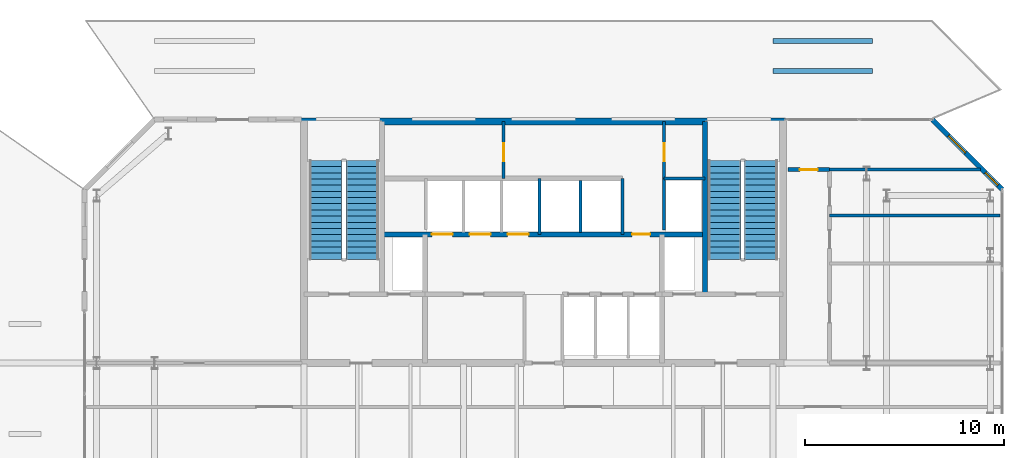
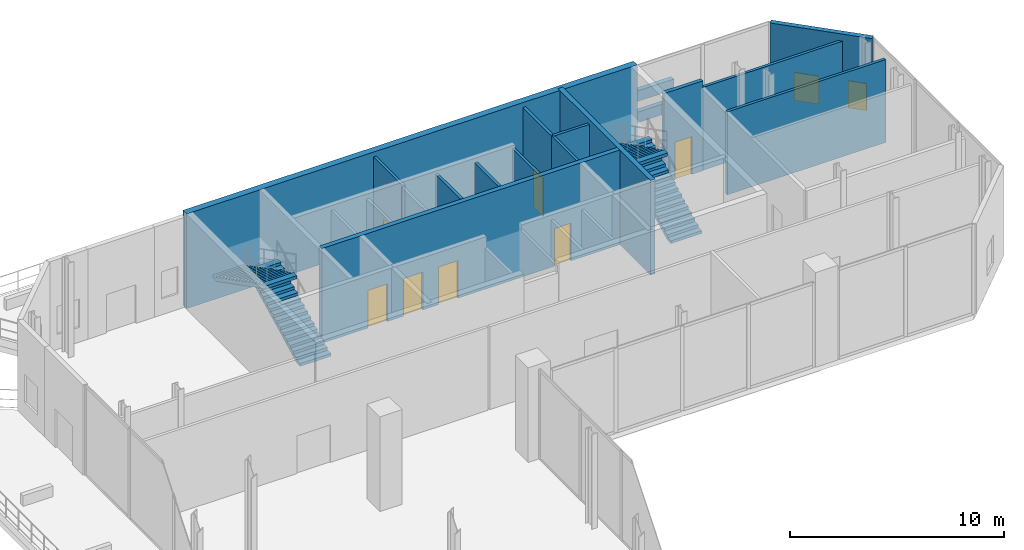
# One storey, part 16 of 18: 16 walls, 7 doors, 4 stair flights, 2 windows, 9 openings, 2 elements without a shape of their own.
"""IFC4 building model written with IfcOpenShell, lengths in metres."""

from ifc_helpers import new_model, si_unit, direction, frame, frame_2d, origin, place, context, subcontext, project, spatial, polyline, rectangle, outline, extrude, material, layer, layer_set, type_object, element, fill, aggregate, save


model = new_model("IFC4")

# Units and contexts
model_context = context("Model", 3, precision=1e-05, world=origin(), true_north=direction((0.0, 1.0)))
body_context = subcontext(model_context, "Body", "Model", "MODEL_VIEW")
ifc_project = project(units=[si_unit("LENGTHUNIT", "METRE"), si_unit("AREAUNIT", "SQUARE_METRE"), si_unit("VOLUMEUNIT", "CUBIC_METRE"), si_unit("PLANEANGLEUNIT", "RADIAN"), si_unit("MASSUNIT", "GRAM", prefix="KILO")], contexts=[model_context])

# Site, building, storey
site_placement = place(None, origin())
site = spatial("IfcSite", under=ifc_project, at=site_placement, CompositionType="ELEMENT")
building_placement = place(site_placement, origin())
building = spatial("IfcBuilding", under=site, at=building_placement, Name="Catumbela Crestline Tower", CompositionType="ELEMENT")
storey_placement = place(building_placement, frame((0.0, 0.0, 148.8)))
storey = spatial("IfcBuildingStorey", under=building, at=storey_placement, Name="L38", CompositionType="ELEMENT", Elevation=148.8)

# Wall
ifc_material_1 = material(Name="Concrete C50/60", Category="concrete")
ifc_layer_1 = layer(ifc_material_1, 0.25, Name="Concrete C50/60")
ifc_layer_set_1 = layer_set([ifc_layer_1], Name="Concrete C50/60")
wall_type_1 = type_object("IfcWallType", Name="CW-250D", PredefinedType="SHEAR", material=ifc_layer_set_1)
wall_1_placement = place(storey_placement, frame((36.1, 34.25, 0.0), z_axis=(0.0, 0.0, 1.0), x_axis=(0.0, 1.0, 0.0)))
element("IfcWall", 1, at=wall_1_placement, inside=storey, type_object=wall_type_1, Name="L38 Structural Core Shear Wall EWEB", PredefinedType="SHEAR", context=body_context, shape_type="SweptSolid", body=[
    extrude(rectangle(XDim=8.65, YDim=0.25, at=frame_2d((4.325, 0.0))), origin(), (0.0, 0.0, 1.0), 5.4),
])

# Wall, openings, doors
wall_2_placement = place(storey_placement, frame((19.9, 37.25, 0.0), z_axis=(0.0, 0.0, 1.0), x_axis=(1.0, 0.0, 0.0)))
wall_2 = element("IfcWall", 2, at=wall_2_placement, inside=storey, type_object=wall_type_1, Name="L38 Structural Core Shear Wall LIFTN", PredefinedType="SHEAR", context=body_context, shape_type="SweptSolid", body=[
    extrude(rectangle(XDim=16.2, YDim=0.25, at=frame_2d((8.1, 0.0))), origin(), (0.0, 0.0, 1.0), 5.4),
])
opening_1_placement = place(wall_2_placement, frame((12.55, 0.0, 0.0)))
opening_1 = element("IfcOpeningElement", 3, at=opening_1_placement, cuts=wall_2, Name="Opening DF9-090", PredefinedType="OPENING", context=body_context, shape_type="SweptSolid", body=[
    extrude(rectangle(XDim=0.9, YDim=2.15, at=frame_2d((0.45, 1.075))), frame((0.0, 0.135, 0.0), z_axis=(0.0, -1.0, 0.0), x_axis=(1.0, 0.0, 0.0)), (0.0, 0.0, 1.0), 0.27),
])
opening_2_placement = place(wall_2_placement, frame((2.5, 0.0, 0.0)))
opening_2 = element("IfcOpeningElement", 4, at=opening_2_placement, cuts=wall_2, Name="Opening LD-105", PredefinedType="OPENING", context=body_context, shape_type="SweptSolid", body=[
    extrude(rectangle(XDim=1.05, YDim=2.15, at=frame_2d((0.525, 1.075))), frame((0.0, 0.135, 0.0), z_axis=(0.0, -1.0, 0.0), x_axis=(1.0, 0.0, 0.0)), (0.0, 0.0, 1.0), 0.27),
])
opening_3_placement = place(wall_2_placement, frame((4.4, 0.0, 0.0)))
opening_3 = element("IfcOpeningElement", 5, at=opening_3_placement, cuts=wall_2, Name="Opening LD-105", PredefinedType="OPENING", context=body_context, shape_type="SweptSolid", body=[
    extrude(rectangle(XDim=1.05, YDim=2.15, at=frame_2d((0.525, 1.075))), frame((0.0, 0.135, 0.0), z_axis=(0.0, -1.0, 0.0), x_axis=(1.0, 0.0, 0.0)), (0.0, 0.0, 1.0), 0.27),
])
opening_4_placement = place(wall_2_placement, frame((6.3, 0.0, 0.0)))
opening_4 = element("IfcOpeningElement", 6, at=opening_4_placement, cuts=wall_2, Name="Opening LD-105", PredefinedType="OPENING", context=body_context, shape_type="SweptSolid", body=[
    extrude(rectangle(XDim=1.05, YDim=2.15, at=frame_2d((0.525, 1.075))), frame((0.0, 0.135, 0.0), z_axis=(0.0, -1.0, 0.0), x_axis=(1.0, 0.0, 0.0)), (0.0, 0.0, 1.0), 0.27),
])
ifc_material_2 = material(Name="Stainless steel EN 1.4401", Category="steel")
door_type_1 = type_object("IfcDoorType", Name="DF9-090", OperationType="NOTDEFINED", PredefinedType="DOOR", material=ifc_material_2)
door_1_placement = place(opening_1_placement, origin())
door_1 = element("IfcDoor", 7, at=door_1_placement, inside=storey, type_object=door_type_1, Name="L38 Interior Door DR-L38-CPAS1", OperationType="SINGLE_SWING_LEFT", OverallHeight=2.15, OverallWidth=0.9, PredefinedType="DOOR", context=body_context, shape_type="SweptSolid", body=[
    extrude(rectangle(XDim=0.9, YDim=2.15, at=frame_2d((0.45, 1.075))), frame((0.0, 0.025, 0.0), z_axis=(0.0, -1.0, 0.0), x_axis=(1.0, 0.0, 0.0)), (0.0, 0.0, 1.0), 0.05),
])
fill(opening_1, door_1)
door_type_2 = type_object("IfcDoorType", Name="LD-105", OperationType="NOTDEFINED", PredefinedType="DOOR", material=ifc_material_2)
door_2_placement = place(opening_2_placement, origin())
door_2 = element("IfcDoor", 8, at=door_2_placement, inside=storey, type_object=door_type_2, Name="L38 Lift Landing Sliding Door PL-H1", OperationType="DOUBLE_DOOR_SLIDING", OverallHeight=2.15, OverallWidth=1.05, PredefinedType="DOOR", context=body_context, shape_type="SweptSolid", body=[
    extrude(rectangle(XDim=1.05, YDim=2.15, at=frame_2d((0.525, 1.075))), frame((0.0, 0.025, 0.0), z_axis=(0.0, -1.0, 0.0), x_axis=(1.0, 0.0, 0.0)), (0.0, 0.0, 1.0), 0.05),
])
fill(opening_2, door_2)
door_3_placement = place(opening_3_placement, origin())
door_3 = element("IfcDoor", 9, at=door_3_placement, inside=storey, type_object=door_type_2, Name="L38 Lift Landing Sliding Door PL-H2", OperationType="DOUBLE_DOOR_SLIDING", OverallHeight=2.15, OverallWidth=1.05, PredefinedType="DOOR", context=body_context, shape_type="SweptSolid", body=[
    extrude(rectangle(XDim=1.05, YDim=2.15, at=frame_2d((0.525, 1.075))), frame((0.0, 0.025, 0.0), z_axis=(0.0, -1.0, 0.0), x_axis=(1.0, 0.0, 0.0)), (0.0, 0.0, 1.0), 0.05),
])
fill(opening_3, door_3)
door_4_placement = place(opening_4_placement, origin())
door_4 = element("IfcDoor", 10, at=door_4_placement, inside=storey, type_object=door_type_2, Name="L38 Lift Landing Sliding Door PL-H3", OperationType="DOUBLE_DOOR_SLIDING", OverallHeight=2.15, OverallWidth=1.05, PredefinedType="DOOR", context=body_context, shape_type="SweptSolid", body=[
    extrude(rectangle(XDim=1.05, YDim=2.15, at=frame_2d((0.525, 1.075))), frame((0.0, 0.025, 0.0), z_axis=(0.0, -1.0, 0.0), x_axis=(1.0, 0.0, 0.0)), (0.0, 0.0, 1.0), 0.05),
])
fill(opening_4, door_4)

# Wall
ifc_layer_2 = layer(ifc_material_1, 0.35, Name="Concrete C50/60")
ifc_layer_set_2 = layer_set([ifc_layer_2], Name="Concrete C50/60")
wall_type_2 = type_object("IfcWallType", Name="CW-350E", PredefinedType="SHEAR", material=ifc_layer_set_2)
wall_3_placement = place(storey_placement, frame((15.85, 42.9, 0.0), z_axis=(0.0, 0.0, 1.0), x_axis=(1.0, 0.0, 0.0)))
element("IfcWall", 11, at=wall_3_placement, inside=storey, type_object=wall_type_2, Name="L38 Structural Core Shear Wall N", PredefinedType="SHEAR", context=body_context, shape_type="SweptSolid", body=[
    extrude(rectangle(XDim=24.3, YDim=0.35, at=frame_2d((12.15, 0.0))), origin(), (0.0, 0.0, 1.0), 5.4),
])

# Wall, opening, door
ifc_material_3 = material(Name="Acoustic gypsum and mineral-wool partition")
ifc_layer_3 = layer(ifc_material_3, 0.2, Name="Acoustic gypsum and mineral-wool partition")
ifc_layer_set_3 = layer_set([ifc_layer_3], Name="Acoustic gypsum and mineral-wool partition")
wall_type_3 = type_object("IfcWallType", Name="WC-200", PredefinedType="PARTITIONING", material=ifc_layer_set_3)
wall_4_placement = place(storey_placement, frame((40.25, 40.5, 0.0), z_axis=(0.0, 0.0, 1.0), x_axis=(1.0, 0.0, 0.0)))
wall_4 = element("IfcWall", 12, at=wall_4_placement, inside=storey, type_object=wall_type_3, Name="L38 Interior Partition PW-L38-SKSTO", PredefinedType="PARTITIONING", context=body_context, shape_type="SweptSolid", body=[
    extrude(rectangle(XDim=2.1, YDim=0.2, at=frame_2d((1.05, 0.0))), origin(), (0.0, 0.0, 1.0), 5.13),
])
opening_5_placement = place(wall_4_placement, frame((0.6, 0.0, 0.0)))
opening_5 = element("IfcOpeningElement", 13, at=opening_5_placement, cuts=wall_4, Name="Opening DF9-090", PredefinedType="OPENING", context=body_context, shape_type="SweptSolid", body=[
    extrude(rectangle(XDim=0.9, YDim=2.15, at=frame_2d((0.45, 1.075))), frame((0.0, 0.11, 0.0), z_axis=(0.0, -1.0, 0.0), x_axis=(1.0, 0.0, 0.0)), (0.0, 0.0, 1.0), 0.22),
])
door_5_placement = place(opening_5_placement, origin())
door_5 = element("IfcDoor", 14, at=door_5_placement, inside=storey, type_object=door_type_1, Name="L38 Interior Door DR-L38-SKSTO", OperationType="SINGLE_SWING_LEFT", OverallHeight=2.15, OverallWidth=0.9, PredefinedType="DOOR", context=body_context, shape_type="SweptSolid", body=[
    extrude(rectangle(XDim=0.9, YDim=2.15, at=frame_2d((0.45, 1.075))), frame((0.0, 0.025, 0.0), z_axis=(0.0, -1.0, 0.0), x_axis=(1.0, 0.0, 0.0)), (0.0, 0.0, 1.0), 0.05),
])
fill(opening_5, door_5)

# Wall, openings, windows
ifc_material_4 = material(Name="Angolan grey-ochre granite", Category="masonry")
ifc_layer_4 = layer(ifc_material_4, 0.25, Name="Angolan grey-ochre granite")
ifc_layer_set_4 = layer_set([ifc_layer_4], Name="Angolan grey-ochre granite")
wall_type_4 = type_object("IfcWallType", Name="WE-250", PredefinedType="STANDARD", material=ifc_layer_set_4)
wall_5_placement = place(storey_placement, frame((51.0, 39.5, 0.0), z_axis=(0.0, 0.0, 1.0), x_axis=(-0.707106781187, 0.707106781187, 0.0)))
wall_5 = element("IfcWall", 15, at=wall_5_placement, inside=storey, type_object=wall_type_4, Name="L38 Granite Punched Window Wall 6-1", PredefinedType="STANDARD", context=body_context, shape_type="SweptSolid", body=[
    extrude(rectangle(XDim=4.9497, YDim=0.25, at=frame_2d((2.4748, 0.0))), origin(), (0.0, 0.0, 1.0), 5.13),
])
opening_6_placement = place(wall_5_placement, frame((0.3024, 0.0, 0.9)))
opening_6 = element("IfcOpeningElement", 16, at=opening_6_placement, cuts=wall_5, Name="Opening WN-03", PredefinedType="OPENING", context=body_context, shape_type="SweptSolid", body=[
    extrude(rectangle(XDim=0.9, YDim=1.55, at=frame_2d((0.45, 0.775))), frame((0.0, 0.135, 0.0), z_axis=(0.0, -1.0, 0.0), x_axis=(1.0, 0.0, 0.0)), (0.0, 0.0, 1.0), 0.27),
])
opening_7_placement = place(wall_5_placement, frame((2.6073, 0.0, 0.85)))
opening_7 = element("IfcOpeningElement", 17, at=opening_7_placement, cuts=wall_5, Name="Opening WN-02", PredefinedType="OPENING", context=body_context, shape_type="SweptSolid", body=[
    extrude(rectangle(XDim=1.2, YDim=1.6, at=frame_2d((0.6, 0.8))), frame((0.0, 0.135, 0.0), z_axis=(0.0, -1.0, 0.0), x_axis=(1.0, 0.0, 0.0)), (0.0, 0.0, 1.0), 0.27),
])
ifc_material_5 = material(Name="Low-E laminated solar-control double glazing", Category="glass")
window_type_1 = type_object("IfcWindowType", Name="WO-0900", PartitioningType="SINGLE_PANEL", PredefinedType="WINDOW", material=ifc_material_5)
window_1_placement = place(opening_6_placement, origin())
window_1 = element("IfcWindow", 18, at=window_1_placement, inside=storey, type_object=window_type_1, Name="L38 Facade Vision Window 207", OverallHeight=1.55, OverallWidth=0.9, PartitioningType="SINGLE_PANEL", PredefinedType="WINDOW", context=body_context, shape_type="SweptSolid", body=[
    extrude(rectangle(XDim=0.9, YDim=1.55, at=frame_2d((0.45, 0.775))), frame((0.0, 0.03, 0.0), z_axis=(0.0, -1.0, 0.0), x_axis=(1.0, 0.0, 0.0)), (0.0, 0.0, 1.0), 0.06),
])
fill(opening_6, window_1)
window_type_2 = type_object("IfcWindowType", Name="WO-1200", PartitioningType="SINGLE_PANEL", PredefinedType="WINDOW", material=ifc_material_5)
window_2_placement = place(opening_7_placement, origin())
window_2 = element("IfcWindow", 19, at=window_2_placement, inside=storey, type_object=window_type_2, Name="L38 Facade Vision Window 208", OverallHeight=1.6, OverallWidth=1.2, PartitioningType="SINGLE_PANEL", PredefinedType="WINDOW", context=body_context, shape_type="SweptSolid", body=[
    extrude(rectangle(XDim=1.2, YDim=1.6, at=frame_2d((0.6, 0.8))), frame((0.0, 0.03, 0.0), z_axis=(0.0, -1.0, 0.0), x_axis=(1.0, 0.0, 0.0)), (0.0, 0.0, 1.0), 0.06),
])
fill(opening_7, window_2)

# Wall
ifc_layer_5 = layer(ifc_material_3, 0.15, Name="Acoustic gypsum and mineral-wool partition")
ifc_layer_set_5 = layer_set([ifc_layer_5], Name="Acoustic gypsum and mineral-wool partition")
wall_type_5 = type_object("IfcWallType", Name="WP-150", PredefinedType="PARTITIONING", material=ifc_layer_set_5)
wall_6_placement = place(storey_placement, frame((34.05, 40.05, 0.0), z_axis=(0.0, 0.0, 1.0), x_axis=(1.0, 0.0, 0.0)))
element("IfcWall", 20, at=wall_6_placement, inside=storey, type_object=wall_type_5, Name="L38 Interior Partition PW-L38-CR-ES", PredefinedType="PARTITIONING", context=body_context, shape_type="SweptSolid", body=[
    extrude(rectangle(XDim=2.05, YDim=0.15, at=frame_2d((1.025, 0.0))), origin(), (0.0, 0.0, 1.0), 5.13),
])

# Wall, opening, door
wall_7_placement = place(storey_placement, frame((34.05, 40.05, 0.0), z_axis=(0.0, 0.0, 1.0), x_axis=(0.0, 1.0, 0.0)))
wall_7 = element("IfcWall", 21, at=wall_7_placement, inside=storey, type_object=wall_type_5, Name="L38 Interior Partition PW-L38-CR-EW", PredefinedType="PARTITIONING", context=body_context, shape_type="SweptSolid", body=[
    extrude(rectangle(XDim=2.85, YDim=0.15, at=frame_2d((1.425, 0.0))), origin(), (0.0, 0.0, 1.0), 5.13),
])
opening_8_placement = place(wall_7_placement, frame((0.865, 0.0, 0.0)))
opening_8 = element("IfcOpeningElement", 22, at=opening_8_placement, cuts=wall_7, Name="Opening DF9-090", PredefinedType="OPENING", context=body_context, shape_type="SweptSolid", body=[
    extrude(rectangle(XDim=0.9, YDim=2.15, at=frame_2d((0.45, 1.075))), frame((0.0, 0.085, 0.0), z_axis=(0.0, -1.0, 0.0), x_axis=(1.0, 0.0, 0.0)), (0.0, 0.0, 1.0), 0.17),
])
door_6_placement = place(opening_8_placement, origin())
door_6 = element("IfcDoor", 23, at=door_6_placement, inside=storey, type_object=door_type_1, Name="L38 Interior Door DR-L38-CREAST", OperationType="SINGLE_SWING_RIGHT", OverallHeight=2.15, OverallWidth=0.9, PredefinedType="DOOR", context=body_context, shape_type="SweptSolid", body=[
    extrude(rectangle(XDim=0.9, YDim=2.15, at=frame_2d((0.45, 1.075))), frame((0.0, 0.025, 0.0), z_axis=(0.0, -1.0, 0.0), x_axis=(1.0, 0.0, 0.0)), (0.0, 0.0, 1.0), 0.05),
])
fill(opening_8, door_6)

wall_8_placement = place(storey_placement, frame((26.0, 40.05, 0.0), z_axis=(0.0, 0.0, 1.0), x_axis=(0.0, 1.0, 0.0)))
wall_8 = element("IfcWall", 24, at=wall_8_placement, inside=storey, type_object=wall_type_5, Name="L38 Interior Partition PW-L38-CR-WW", PredefinedType="PARTITIONING", context=body_context, shape_type="SweptSolid", body=[
    extrude(rectangle(XDim=2.85, YDim=0.15, at=frame_2d((1.425, 0.0))), origin(), (0.0, 0.0, 1.0), 5.13),
])
opening_9_placement = place(wall_8_placement, frame((0.865, 0.0, 0.0)))
opening_9 = element("IfcOpeningElement", 25, at=opening_9_placement, cuts=wall_8, Name="Opening DF9-090", PredefinedType="OPENING", context=body_context, shape_type="SweptSolid", body=[
    extrude(rectangle(XDim=0.9, YDim=2.15, at=frame_2d((0.45, 1.075))), frame((0.0, 0.085, 0.0), z_axis=(0.0, -1.0, 0.0), x_axis=(1.0, 0.0, 0.0)), (0.0, 0.0, 1.0), 0.17),
])
door_7_placement = place(opening_9_placement, origin())
door_7 = element("IfcDoor", 26, at=door_7_placement, inside=storey, type_object=door_type_1, Name="L38 Interior Door DR-L38-CRWEST", OperationType="SINGLE_SWING_LEFT", OverallHeight=2.15, OverallWidth=0.9, PredefinedType="DOOR", context=body_context, shape_type="SweptSolid", body=[
    extrude(rectangle(XDim=0.9, YDim=2.15, at=frame_2d((0.45, 1.075))), frame((0.0, 0.025, 0.0), z_axis=(0.0, -1.0, 0.0), x_axis=(1.0, 0.0, 0.0)), (0.0, 0.0, 1.0), 0.05),
])
fill(opening_9, door_7)

# Walls
wall_9_placement = place(storey_placement, frame((42.35, 38.2, 0.0), z_axis=(0.0, 0.0, 1.0), x_axis=(1.0, 0.0, 0.0)))
element("IfcWall", 27, at=wall_9_placement, inside=storey, type_object=wall_type_5, Name="L38 Interior Partition PW-L38-WCM", PredefinedType="PARTITIONING", context=body_context, shape_type="SweptSolid", body=[
    extrude(rectangle(XDim=8.55, YDim=0.15, at=frame_2d((4.275, 0.0))), origin(), (0.0, 0.0, 1.0), 4.73),
])
wall_10_placement = place(storey_placement, frame((42.35, 40.5, 0.0), z_axis=(0.0, 0.0, 1.0), x_axis=(1.0, 0.0, 0.0)))
element("IfcWall", 28, at=wall_10_placement, inside=storey, type_object=wall_type_5, Name="L38 Interior Partition PW-L38-WCN", PredefinedType="PARTITIONING", context=body_context, shape_type="SweptSolid", body=[
    extrude(rectangle(XDim=7.55, YDim=0.15, at=frame_2d((3.775, 0.0))), origin(), (0.0, 0.0, 1.0), 4.73),
])
ifc_material_6 = material(Name="Concrete C40/50", Category="concrete")
ifc_layer_6 = layer(ifc_material_6, 0.25, Name="Concrete C40/50")
ifc_layer_set_6 = layer_set([ifc_layer_6], Name="Concrete C40/50")
wall_type_6 = type_object("IfcWallType", Name="WPL-250", PredefinedType="USERDEFINED", material=ifc_layer_set_6)
for number, where, z_axis, x_axis, name in (
    (29, (39.5, 45.45, -0.02), (0.0, 0.0, 1.0), (1.0, 0.0, 0.0), "L38 Planted Sky-Garden GRC Planter Kerb 19"),
    (30, (39.5, 46.95, -0.02), (0.0, 0.0, 1.0), (1.0, 0.0, 0.0), "L38 Planted Sky-Garden GRC Planter Kerb 20"),
):
    element("IfcWall", number, at=place(storey_placement, frame(where, z_axis=z_axis, x_axis=x_axis)), inside=storey, type_object=wall_type_6, Name=name, ObjectType="PLANTER", PredefinedType="USERDEFINED", context=body_context, shape_type="SweptSolid", body=[
        extrude(rectangle(XDim=5.0, YDim=0.25, at=frame_2d((2.5, 0.0))), origin(), (0.0, 0.0, 1.0), 0.6),
    ])
ifc_layer_7 = layer(ifc_material_3, 0.15, Name="Acoustic gypsum and mineral-wool partition")
ifc_layer_set_7 = layer_set([ifc_layer_7], Name="Acoustic gypsum and mineral-wool partition")
wall_type_7 = type_object("IfcWallType", Name="WS-150", PredefinedType="PLUMBINGWALL", material=ifc_layer_set_7)
for number, where, z_axis, x_axis, name in (
    (31, (27.8, 37.25, 0.0), (0.0, 0.0, 1.0), (0.0, 1.0, 0.0), "L38 Interior Partition PW-L38-SHH3"),
    (32, (31.95, 37.25, 0.0), (0.0, 0.0, 1.0), (0.0, 1.0, 0.0), "L38 Interior Partition PW-L38-SHEX2E"),
):
    element("IfcWall", number, at=place(storey_placement, frame(where, z_axis=z_axis, x_axis=x_axis)), inside=storey, type_object=wall_type_7, Name=name, PredefinedType="PLUMBINGWALL", context=body_context, shape_type="SweptSolid", body=[
        extrude(rectangle(XDim=2.8, YDim=0.15, at=frame_2d((1.4, 0.0))), origin(), (0.0, 0.0, 1.0), 5.13),
    ])
wall_11_placement = place(storey_placement, frame((29.85, 37.35, 0.0), z_axis=(0.0, 0.0, 1.0), x_axis=(0.0, 1.0, 0.0)))
element("IfcWall", 33, at=wall_11_placement, inside=storey, type_object=wall_type_7, Name="L38 Interior Partition PW-L38-SHEX1", PredefinedType="PLUMBINGWALL", context=body_context, shape_type="SweptSolid", body=[
    extrude(rectangle(XDim=2.6, YDim=0.15, at=frame_2d((1.3, 0.0))), origin(), (0.0, 0.0, 1.0), 5.13),
])
wall_12_placement = place(storey_placement, frame((34.05, 37.4734, 0.0), z_axis=(0.0, 0.0, 1.0), x_axis=(0.0, 1.0, 0.0)))
element("IfcWall", 34, at=wall_12_placement, inside=storey, type_object=wall_type_7, Name="L38 Interior Partition PW-L38-RISW", PredefinedType="PLUMBINGWALL", context=body_context, shape_type="SweptSolid", body=[
    extrude(rectangle(XDim=2.5766, YDim=0.15, at=frame_2d((1.2883, 0.0))), origin(), (0.0, 0.0, 1.0), 5.13),
])

# Stair, stair flights
ifc_material_7 = material(Name="Concrete C45/55", Category="concrete")
stair_type = type_object("IfcStairType", Name="ST-DLG", PredefinedType="HALF_TURN_STAIR", material=ifc_material_7)
stair_1_placement = place(storey_placement, origin())
stair_1 = element("IfcStair", 35, at=stair_1_placement, inside=storey, type_object=stair_type, Name="L38 West Core Pressurised Exit Stair ST-01", PredefinedType="HALF_TURN_STAIR")
stair_flight_type = type_object("IfcStairFlightType", Name="SF-1588", PredefinedType="STRAIGHT", material=ifc_material_7)
stair_flight_1_placement = place(storey_placement, frame((18.92, 36.0, 0.0), z_axis=(0.0, 0.0, 1.0), x_axis=(0.0, 1.0, 0.0)))
stair_flight_1 = element("IfcStairFlight", 36, at=stair_flight_1_placement, type_object=stair_flight_type, Name="ST-01 flight 1", NumberOfRisers=17, NumberOfTreads=16, PredefinedType="STRAIGHT", RiserHeight=0.158823529, TreadLength=0.31, context=body_context, shape_type="SweptSolid", body=[
    extrude(outline(polyline([(0.0, 0.0), (0.0, 0.1588), (0.31, 0.1588), (0.31, 0.3176), (0.62, 0.3176), (0.62, 0.4765), (0.93, 0.4765), (0.93, 0.6353), (1.24, 0.6353), (1.24, 0.7941), (1.55, 0.7941), (1.55, 0.9529), (1.86, 0.9529), (1.86, 1.1118), (2.17, 1.1118), (2.17, 1.2706), (2.48, 1.2706), (2.48, 1.4294), (2.79, 1.4294), (2.79, 1.5882), (3.1, 1.5882), (3.1, 1.7471), (3.41, 1.7471), (3.41, 1.9059), (3.72, 1.9059), (3.72, 2.0647), (4.03, 2.0647), (4.03, 2.2235), (4.34, 2.2235), (4.34, 2.3824), (4.65, 2.3824), (4.65, 2.5412), (4.96, 2.5412), (4.96, 2.7), (4.96, 2.3614), (0.3509, 0.0), (0.0, 0.0)])), frame((0.0, 0.83, 0.0), z_axis=(0.0, -1.0, 0.0), x_axis=(1.0, 0.0, 0.0)), (0.0, 0.0, 1.0), 1.66),
])
stair_flight_2_placement = place(storey_placement, frame((17.08, 40.96, 2.7), z_axis=(0.0, 0.0, 1.0), x_axis=(0.0, -1.0, 0.0)))
stair_flight_2 = element("IfcStairFlight", 37, at=stair_flight_2_placement, type_object=stair_flight_type, Name="ST-01 flight 2", NumberOfRisers=17, NumberOfTreads=16, PredefinedType="STRAIGHT", RiserHeight=0.158823529, TreadLength=0.31, context=body_context, shape_type="SweptSolid", body=[
    extrude(outline(polyline([(0.0, 0.0), (0.0, 0.1588), (0.31, 0.1588), (0.31, 0.3176), (0.62, 0.3176), (0.62, 0.4765), (0.93, 0.4765), (0.93, 0.6353), (1.24, 0.6353), (1.24, 0.7941), (1.55, 0.7941), (1.55, 0.9529), (1.86, 0.9529), (1.86, 1.1118), (2.17, 1.1118), (2.17, 1.2706), (2.48, 1.2706), (2.48, 1.4294), (2.79, 1.4294), (2.79, 1.5882), (3.1, 1.5882), (3.1, 1.7471), (3.41, 1.7471), (3.41, 1.9059), (3.72, 1.9059), (3.72, 2.0647), (4.03, 2.0647), (4.03, 2.2235), (4.34, 2.2235), (4.34, 2.3824), (4.65, 2.3824), (4.65, 2.5412), (4.96, 2.5412), (4.96, 2.7), (4.96, 2.3614), (0.3509, 0.0), (0.0, 0.0)])), frame((0.0, 0.83, 0.0), z_axis=(0.0, -1.0, 0.0), x_axis=(1.0, 0.0, 0.0)), (0.0, 0.0, 1.0), 1.66),
])
aggregate(stair_1, [stair_flight_1, stair_flight_2])

stair_2_placement = place(storey_placement, origin())
stair_2 = element("IfcStair", 38, at=stair_2_placement, inside=storey, type_object=stair_type, Name="L38 East Core Pressurised Exit Stair ST-02", PredefinedType="HALF_TURN_STAIR")
stair_flight_3_placement = place(storey_placement, frame((38.92, 36.0, 0.0), z_axis=(0.0, 0.0, 1.0), x_axis=(0.0, 1.0, 0.0)))
stair_flight_3 = element("IfcStairFlight", 39, at=stair_flight_3_placement, type_object=stair_flight_type, Name="ST-02 flight 1", NumberOfRisers=17, NumberOfTreads=16, PredefinedType="STRAIGHT", RiserHeight=0.158823529, TreadLength=0.31, context=body_context, shape_type="SweptSolid", body=[
    extrude(outline(polyline([(0.0, 0.0), (0.0, 0.1588), (0.31, 0.1588), (0.31, 0.3176), (0.62, 0.3176), (0.62, 0.4765), (0.93, 0.4765), (0.93, 0.6353), (1.24, 0.6353), (1.24, 0.7941), (1.55, 0.7941), (1.55, 0.9529), (1.86, 0.9529), (1.86, 1.1118), (2.17, 1.1118), (2.17, 1.2706), (2.48, 1.2706), (2.48, 1.4294), (2.79, 1.4294), (2.79, 1.5882), (3.1, 1.5882), (3.1, 1.7471), (3.41, 1.7471), (3.41, 1.9059), (3.72, 1.9059), (3.72, 2.0647), (4.03, 2.0647), (4.03, 2.2235), (4.34, 2.2235), (4.34, 2.3824), (4.65, 2.3824), (4.65, 2.5412), (4.96, 2.5412), (4.96, 2.7), (4.96, 2.3614), (0.3509, 0.0), (0.0, 0.0)])), frame((0.0, 0.83, 0.0), z_axis=(0.0, -1.0, 0.0), x_axis=(1.0, 0.0, 0.0)), (0.0, 0.0, 1.0), 1.66),
])
stair_flight_4_placement = place(storey_placement, frame((37.08, 40.96, 2.7), z_axis=(0.0, 0.0, 1.0), x_axis=(0.0, -1.0, 0.0)))
stair_flight_4 = element("IfcStairFlight", 40, at=stair_flight_4_placement, type_object=stair_flight_type, Name="ST-02 flight 2", NumberOfRisers=17, NumberOfTreads=16, PredefinedType="STRAIGHT", RiserHeight=0.158823529, TreadLength=0.31, context=body_context, shape_type="SweptSolid", body=[
    extrude(outline(polyline([(0.0, 0.0), (0.0, 0.1588), (0.31, 0.1588), (0.31, 0.3176), (0.62, 0.3176), (0.62, 0.4765), (0.93, 0.4765), (0.93, 0.6353), (1.24, 0.6353), (1.24, 0.7941), (1.55, 0.7941), (1.55, 0.9529), (1.86, 0.9529), (1.86, 1.1118), (2.17, 1.1118), (2.17, 1.2706), (2.48, 1.2706), (2.48, 1.4294), (2.79, 1.4294), (2.79, 1.5882), (3.1, 1.5882), (3.1, 1.7471), (3.41, 1.7471), (3.41, 1.9059), (3.72, 1.9059), (3.72, 2.0647), (4.03, 2.0647), (4.03, 2.2235), (4.34, 2.2235), (4.34, 2.3824), (4.65, 2.3824), (4.65, 2.5412), (4.96, 2.5412), (4.96, 2.7), (4.96, 2.3614), (0.3509, 0.0), (0.0, 0.0)])), frame((0.0, 0.83, 0.0), z_axis=(0.0, -1.0, 0.0), x_axis=(1.0, 0.0, 0.0)), (0.0, 0.0, 1.0), 1.66),
])
aggregate(stair_2, [stair_flight_3, stair_flight_4])

save(model, "model.ifc")
